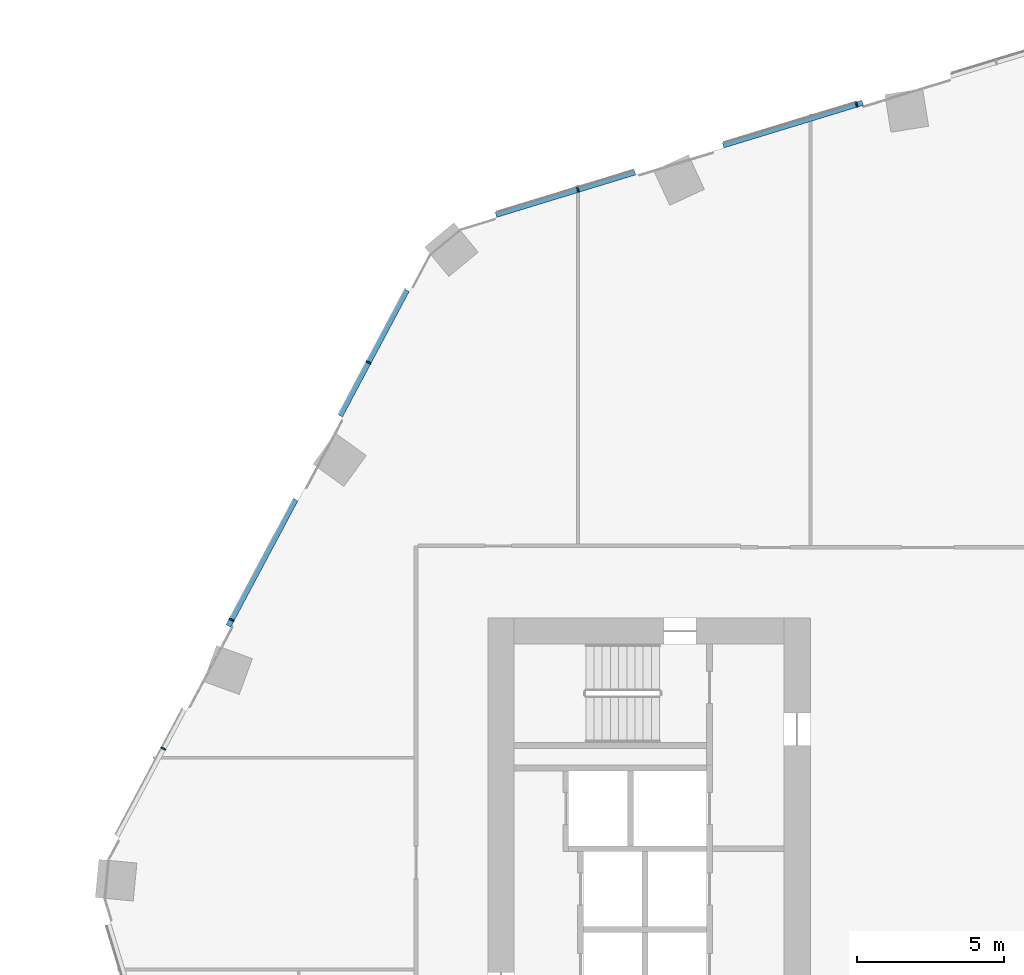
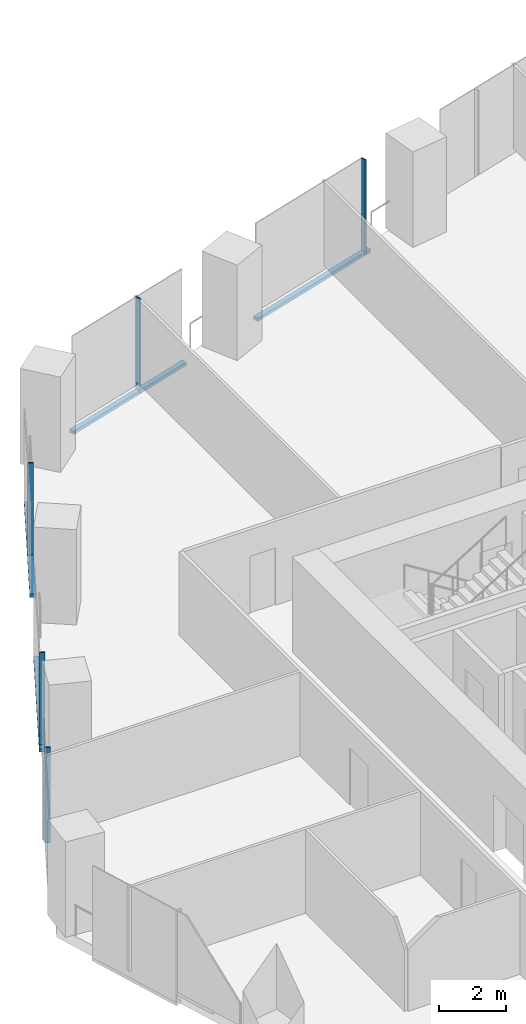
# One storey, part 11 of 30: 9 members, 2 elements without a shape of their own.
"""IFC4 building model written with IfcOpenShell, lengths in metres."""

import ifcopenshell
import ifcopenshell.guid

model = None  # the IFC model being written
_history = None  # IfcOwnerHistory: only IFC2X3 demands one
_inside = {}  # id of a spatial element -> (the spatial element, [elements in it])
_under = {}  # id of a project, library or spatial element -> (it, [spatial elements below it])
_declared = {}  # id of a project -> (the project, [libraries it declares])
_typed = {}  # id of a type object -> (the type object, [elements of that type])
_made_of = {}  # id of a material, layer set ... -> (it, [elements and type objects made of it])


def new_model(schema):
    """Start an empty IFC model of exactly this schema.

    Asked for "IFC4X3", IfcOpenShell would pick the latest addendum, in which some entities
    have other attributes; the version numbers below select the first issue.
    IFC2X3 requires an IfcOwnerHistory on every rooted entity: one is made here for all.
    """
    global model, _history
    if schema == "IFC4X3":
        model = ifcopenshell.file(schema_version=(4, 3, 0, 0))
    else:
        model = ifcopenshell.file(schema=schema)
    _inside.clear()
    _under.clear()
    _declared.clear()
    _typed.clear()
    _made_of.clear()
    _history = None
    if model.schema == "IFC2X3":
        org = make("IfcOrganization", Name="unknown")
        user = make(
            "IfcPersonAndOrganization",
            ThePerson=make("IfcPerson", FamilyName="unknown"),
            TheOrganization=org,
        )
        app = make(
            "IfcApplication",
            ApplicationDeveloper=org,
            Version="unknown",
            ApplicationFullName="unknown",
            ApplicationIdentifier="unknown",
        )
        _history = make(
            "IfcOwnerHistory",
            OwningUser=user,
            OwningApplication=app,
            ChangeAction="ADDED",
            CreationDate=0,
        )
    return model


def make(cls, **values):
    """One entity of the class cls with the attributes given. An attribute that is None is left unset."""
    return model.create_entity(
        cls, **{name: value for name, value in values.items() if value is not None}
    )


def rooted(cls, **values):
    """An entity with a GlobalId (a new one), such as an element, a storey or a relation."""
    return make(cls, GlobalId=ifcopenshell.guid.new(), OwnerHistory=_history, **values)


def si_unit(unit_type, name, prefix=None):
    """IfcSIUnit, for example si_unit("LENGTHUNIT", "METRE", prefix="MILLI")."""
    return make("IfcSIUnit", UnitType=unit_type, Prefix=prefix, Name=name)


def assignment(units):
    """IfcUnitAssignment: the units of a project."""
    return None if units is None else make("IfcUnitAssignment", Units=units)


def point(xyz):
    """IfcCartesianPoint."""
    return None if xyz is None else make("IfcCartesianPoint", Coordinates=xyz)


def direction(xyz):
    """IfcDirection."""
    return None if xyz is None else make("IfcDirection", DirectionRatios=xyz)


def frame(location, z_axis=None, x_axis=None):
    """IfcAxis2Placement3D, a coordinate frame: its origin and axes. An axis left out is left unset."""
    return make(
        "IfcAxis2Placement3D",
        Location=point(location),
        Axis=direction(z_axis),
        RefDirection=direction(x_axis),
    )


def frame_2d(location, x_axis=None):
    """IfcAxis2Placement2D, a coordinate frame in the plane: its origin and x axis."""
    return make(
        "IfcAxis2Placement2D", Location=point(location), RefDirection=direction(x_axis)
    )


def origin():
    """The frame at (0, 0, 0) with its axes left unset."""
    return frame((0.0, 0.0, 0.0))


def origin_2d():
    """The frame at (0, 0) in the plane with its x axis left unset."""
    return frame_2d((0.0, 0.0))


def place(relative_to, where):
    """IfcLocalPlacement: puts the frame where relative to a parent placement (None: the world)."""
    return make(
        "IfcLocalPlacement", PlacementRelTo=relative_to, RelativePlacement=where
    )


def context(
    kind, dimensions, precision=None, world=None, true_north=None, identifier=None
):
    """IfcGeometricRepresentationContext, for example the 3D "Model" context."""
    return make(
        "IfcGeometricRepresentationContext",
        ContextIdentifier=identifier,
        ContextType=kind,
        CoordinateSpaceDimension=dimensions,
        Precision=precision,
        WorldCoordinateSystem=world,
        TrueNorth=true_north,
    )


def subcontext(parent, identifier, kind, view, scale=None):
    """IfcGeometricRepresentationSubContext, for example "Body" below "Model"."""
    return make(
        "IfcGeometricRepresentationSubContext",
        ContextIdentifier=identifier,
        ContextType=kind,
        ParentContext=parent,
        TargetScale=scale,
        TargetView=view,
    )


def project(units=None, contexts=None):
    """IfcProject with its units and contexts."""
    return rooted(
        "IfcProject",
        Name="project",
        RepresentationContexts=contexts,
        UnitsInContext=assignment(units),
    )


def spatial(cls, under=None, at=None, **own):
    """A site, building, storey or space (cls), placed at a placement, below another one or the project."""
    s = rooted(cls, ObjectPlacement=at, **own)
    if under is not None:
        _under.setdefault(under.id(), (under, []))[1].append(s)
    return s


def profile(cls, at=None, kind="AREA", **sizes):
    """A parametric profile (cls). Its sizes go by their IFC names, for example OverallWidth=200.0."""
    return make(cls, ProfileType=kind, Position=at, **sizes)


def rectangle(**sizes):
    """IfcRectangleProfileDef."""
    return profile("IfcRectangleProfileDef", **sizes)


def extrude(swept, where, along, depth):
    """IfcExtrudedAreaSolid: the profile swept, set in the frame where, extruded along a direction by depth."""
    return make(
        "IfcExtrudedAreaSolid",
        SweptArea=swept,
        Position=where,
        ExtrudedDirection=direction(along),
        Depth=depth,
    )


def shape(context_of_items, identifier, shape_type, items):
    """IfcShapeRepresentation: the items that make up one representation, for example the "Body"."""
    return make(
        "IfcShapeRepresentation",
        ContextOfItems=context_of_items,
        RepresentationIdentifier=identifier,
        RepresentationType=shape_type,
        Items=items,
    )


def material(Name=None, Category=None):
    """IfcMaterial."""
    return make("IfcMaterial", Name=Name, Category=Category)


def material_profile(
    of_material, cross_section, Name=None, Category=None, Priority=None
):
    """IfcMaterialProfile: a cross section and its material."""
    return make(
        "IfcMaterialProfile",
        Name=Name,
        Material=of_material,
        Profile=cross_section,
        Priority=Priority,
        Category=Category,
    )


def profile_set(profiles, Name=None, composite=None):
    """IfcMaterialProfileSet."""
    return make(
        "IfcMaterialProfileSet",
        Name=Name,
        MaterialProfiles=profiles,
        CompositeProfile=composite,
    )


def made_of(thing, what):
    """Note that an element or type object is made of a material, layer set ...; save() writes the relation."""
    if what is not None:
        _made_of.setdefault(what.id(), (what, []))[1].append(thing)
    return thing


def type_object(cls, material=None, **own):
    """A type object (cls), such as IfcWallType, which elements share."""
    return made_of(rooted(cls, **own), material)


def element(
    cls,
    number,
    at=None,
    inside=None,
    cuts=None,
    type_object=None,
    material=None,
    context=None,
    identifier="Body",
    shape_type=None,
    held_by="IfcProductDefinitionShape",
    body=None,
    shapes=None,
    **own,
):
    """One element of the class cls, such as IfcWall. Its Tag is "e" and its number.

    at: its placement. inside: the storey or other place that contains it. cuts: it is an
    opening in that element (IfcRelVoidsElement). A single representation is given by context,
    identifier, shape_type and body (its items); several are given by shapes. held_by: the class
    of the entity that holds the representations. save() writes the other relations.
    """
    e = rooted(cls, Tag="e%d" % number, ObjectPlacement=at, **own)
    if body is not None:
        shapes = [shape(context, identifier, shape_type, body)]
    if shapes is not None:
        e.Representation = make(held_by, Representations=shapes)
    if inside is not None:
        _inside.setdefault(inside.id(), (inside, []))[1].append(e)
    if cuts is not None:
        rooted(
            "IfcRelVoidsElement", RelatingBuildingElement=cuts, RelatedOpeningElement=e
        )
    if type_object is not None:
        _typed.setdefault(type_object.id(), (type_object, []))[1].append(e)
    return made_of(e, material)


def aggregate(whole, parts):
    """IfcRelAggregates: a whole, such as a stair, and the parts it consists of."""
    return rooted("IfcRelAggregates", RelatingObject=whole, RelatedObjects=parts)


def save(model, path):
    """Write the relations noted so far, then the file.

    IfcRelAggregates (storeys below a building ...), IfcRelContainedInSpatialStructure (elements
    in a storey), IfcRelDefinesByType, IfcRelAssociatesMaterial and IfcRelDeclares: one each for
    every whole, place, type object, material and project.
    """
    for whole, parts in _under.values():
        aggregate(whole, parts)
    for where, things in _inside.values():
        rooted(
            "IfcRelContainedInSpatialStructure",
            RelatedElements=things,
            RelatingStructure=where,
        )
    for kind, things in _typed.values():
        rooted("IfcRelDefinesByType", RelatedObjects=things, RelatingType=kind)
    for what, things in _made_of.values():
        rooted("IfcRelAssociatesMaterial", RelatedObjects=things, RelatingMaterial=what)
    for by, libraries in _declared.values():
        rooted("IfcRelDeclares", RelatingContext=by, RelatedDefinitions=libraries)
    model.write(path)


model = new_model("IFC4")

# Units and contexts
model_context = context("Model", 3, precision=1e-05, world=origin(), true_north=direction((0.0, 1.0)))
body_context = subcontext(model_context, "Body", "Model", "MODEL_VIEW")
ifc_project = project(units=[si_unit("LENGTHUNIT", "METRE"), si_unit("AREAUNIT", "SQUARE_METRE"), si_unit("VOLUMEUNIT", "CUBIC_METRE"), si_unit("PLANEANGLEUNIT", "RADIAN"), si_unit("MASSUNIT", "GRAM", prefix="KILO")], contexts=[model_context])

# Site, building, storey
site_placement = place(None, origin())
site = spatial("IfcSite", under=ifc_project, at=site_placement, CompositionType="ELEMENT")
building_placement = place(site_placement, origin())
building = spatial("IfcBuilding", under=site, at=building_placement, Name="Orlundy Tower", CompositionType="ELEMENT")
storey_placement = place(building_placement, frame((0.0, 0.0, 80.699951171875)))
storey = spatial("IfcBuildingStorey", under=building, at=storey_placement, Name="L19", CompositionType="ELEMENT", Elevation=80.699951171875)

# Curtain wall, members
ifc_material_1 = material(Name="Aluminium bronze anodised", Category="aluminium")
curtain_wall_type = type_object("IfcCurtainWallType", Name="CW1 wall", PredefinedType="NOTDEFINED", material=ifc_material_1)
curtain_wall_1_placement = place(storey_placement, origin())
curtain_wall_1 = element("IfcCurtainWall", 1, at=curtain_wall_1_placement, inside=storey, type_object=curtain_wall_type, Name="CW1 run 02", PredefinedType="NOTDEFINED")
ifc_material_2 = material(Name="Aluminium bronze anodised", Category="aluminium")
ifc_material_profile_1 = material_profile(ifc_material_2, rectangle(XDim=0.179931640625, YDim=0.050048828125, at=origin_2d()), Name="CW1 mullion 50x180")
ifc_profile_set_1 = profile_set([ifc_material_profile_1], Name="Aluminium bronze anodised")
member_type_1 = type_object("IfcMemberType", Name="CW1 mullion 50x180", PredefinedType="MULLION", material=ifc_profile_set_1)
member_1_placement = place(storey_placement, frame((-30.068115234375, 7.54296875, -0.39990234375), z_axis=(0.0, 0.0, 1.0), x_axis=(-0.882961465544, 0.469445471129, 0.0)))
member_1 = element("IfcMember", 2, at=member_1_placement, type_object=member_type_1, Name="CW1 mullion 10", PredefinedType="MULLION", context=body_context, shape_type="SweptSolid", body=[
    extrude(rectangle(XDim=0.179931640625, YDim=0.050048828125, at=origin_2d()), origin(), (0.0, 0.0, 1.0), 3.5),
])
member_2_placement = place(storey_placement, frame((-27.734619140625, 11.931884765625, -0.39990234375), z_axis=(0.0, 0.0, 1.0), x_axis=(-0.882961465544, 0.469445471129, 0.0)))
member_2 = element("IfcMember", 3, at=member_2_placement, type_object=member_type_1, Name="CW1 mullion 11", PredefinedType="MULLION", context=body_context, shape_type="SweptSolid", body=[
    extrude(rectangle(XDim=0.179931640625, YDim=0.050048828125, at=origin_2d()), origin(), (0.0, 0.0, 1.0), 3.5),
])
member_3_placement = place(storey_placement, frame((-23.06787109375, 20.70947265625, -0.39990234375), z_axis=(0.0, 0.0, 1.0), x_axis=(-0.882961465544, 0.469445471129, 0.0)))
member_3 = element("IfcMember", 4, at=member_3_placement, type_object=member_type_1, Name="CW1 mullion 13", PredefinedType="MULLION", context=body_context, shape_type="SweptSolid", body=[
    extrude(rectangle(XDim=0.179931640625, YDim=0.050048828125, at=origin_2d()), origin(), (0.0, 0.0, 1.0), 3.5),
])

curtain_wall_2_placement = place(storey_placement, origin())
curtain_wall_2 = element("IfcCurtainWall", 5, at=curtain_wall_2_placement, inside=storey, type_object=curtain_wall_type, Name="CW1 run 03", PredefinedType="NOTDEFINED")
member_4_placement = place(storey_placement, frame((-15.927978515625, 26.59521484375, -0.39990234375), z_axis=(0.0, 0.0, 1.0), x_axis=(-0.292360624804, 0.956308143364, 0.0)))
member_4 = element("IfcMember", 6, at=member_4_placement, type_object=member_type_1, Name="CW1 mullion 15", PredefinedType="MULLION", context=body_context, shape_type="SweptSolid", body=[
    extrude(rectangle(XDim=0.179931640625, YDim=0.050048828125, at=origin_2d()), origin(), (0.0, 0.0, 1.0), 3.5),
])
member_5_placement = place(storey_placement, frame((-6.421142578125, 29.501708984375, -0.39990234375), z_axis=(0.0, 0.0, 1.0), x_axis=(-0.292360624804, 0.956308143364, 0.0)))
member_5 = element("IfcMember", 7, at=member_5_placement, type_object=member_type_1, Name="CW1 mullion 17", PredefinedType="MULLION", context=body_context, shape_type="SweptSolid", body=[
    extrude(rectangle(XDim=0.179931640625, YDim=0.050048828125, at=origin_2d()), origin(), (0.0, 0.0, 1.0), 3.5),
])

# Member
ifc_material_3 = material(Name="Aluminium bronze anodised", Category="aluminium")
ifc_material_profile_2 = material_profile(ifc_material_3, rectangle(XDim=0.179931640625, YDim=0.1201171875, at=origin_2d()), Name="CW1 transom 180x120")
ifc_profile_set_2 = profile_set([ifc_material_profile_2], Name="Aluminium bronze anodised")
member_type_2 = type_object("IfcMemberType", Name="CW1 transom 180x120", PredefinedType="USERDEFINED", material=ifc_profile_set_2)
member_6_placement = place(storey_placement, frame((-27.8466796875, 11.72119140625, -0.33984375), z_axis=(0.469429577215, 0.882969915702, 0.0), x_axis=(-0.882969915702, 0.469429577215, 0.0)))
member_6 = element("IfcMember", 8, at=member_6_placement, type_object=member_type_2, Name="CW1 transom", ObjectType="TRANSOM", PredefinedType="USERDEFINED", context=body_context, shape_type="SweptSolid", body=[
    extrude(rectangle(XDim=0.179931640625, YDim=0.1201171875, at=origin_2d()), origin(), (0.0, 0.0, 1.0), 4.87939453125),
])

member_7_placement = place(storey_placement, frame((-24.03515625, 18.89013671875, -0.33984375), z_axis=(0.469437543665, 0.882965680306, 0.0), x_axis=(-0.882965680306, 0.469437543665, 0.0)))
member_7 = element("IfcMember", 9, at=member_7_placement, type_object=member_type_2, Name="CW1 transom", ObjectType="TRANSOM", PredefinedType="USERDEFINED", context=body_context, shape_type="SweptSolid", body=[
    extrude(rectangle(XDim=0.179931640625, YDim=0.1201171875, at=origin_2d()), origin(), (0.0, 0.0, 1.0), 4.84716796875),
])

aggregate(curtain_wall_1, [member_1, member_2, member_3, member_6, member_7])

member_8_placement = place(storey_placement, frame((-18.722412109375, 25.740966796875, -0.33984375), z_axis=(0.956308746397, 0.292358652284, 0.0), x_axis=(-0.292358652284, 0.956308746397, 0.0)))
member_8 = element("IfcMember", 10, at=member_8_placement, type_object=member_type_2, Name="CW1 transom", ObjectType="TRANSOM", PredefinedType="USERDEFINED", context=body_context, shape_type="SweptSolid", body=[
    extrude(rectangle(XDim=0.179931640625, YDim=0.1201171875, at=origin_2d()), origin(), (0.0, 0.0, 1.0), 4.957763671875),
])

member_9_placement = place(storey_placement, frame((-10.974853515625, 28.109375, -0.33984375), z_axis=(0.956305846992, 0.292368136103, 0.0), x_axis=(-0.292368136103, 0.956305846992, 0.0)))
member_9 = element("IfcMember", 11, at=member_9_placement, type_object=member_type_2, Name="CW1 transom", ObjectType="TRANSOM", PredefinedType="USERDEFINED", context=body_context, shape_type="SweptSolid", body=[
    extrude(rectangle(XDim=0.179931640625, YDim=0.1201171875, at=origin_2d()), origin(), (0.0, 0.0, 1.0), 4.97509765625),
])

aggregate(curtain_wall_2, [member_4, member_5, member_8, member_9])

save(model, "model.ifc")
